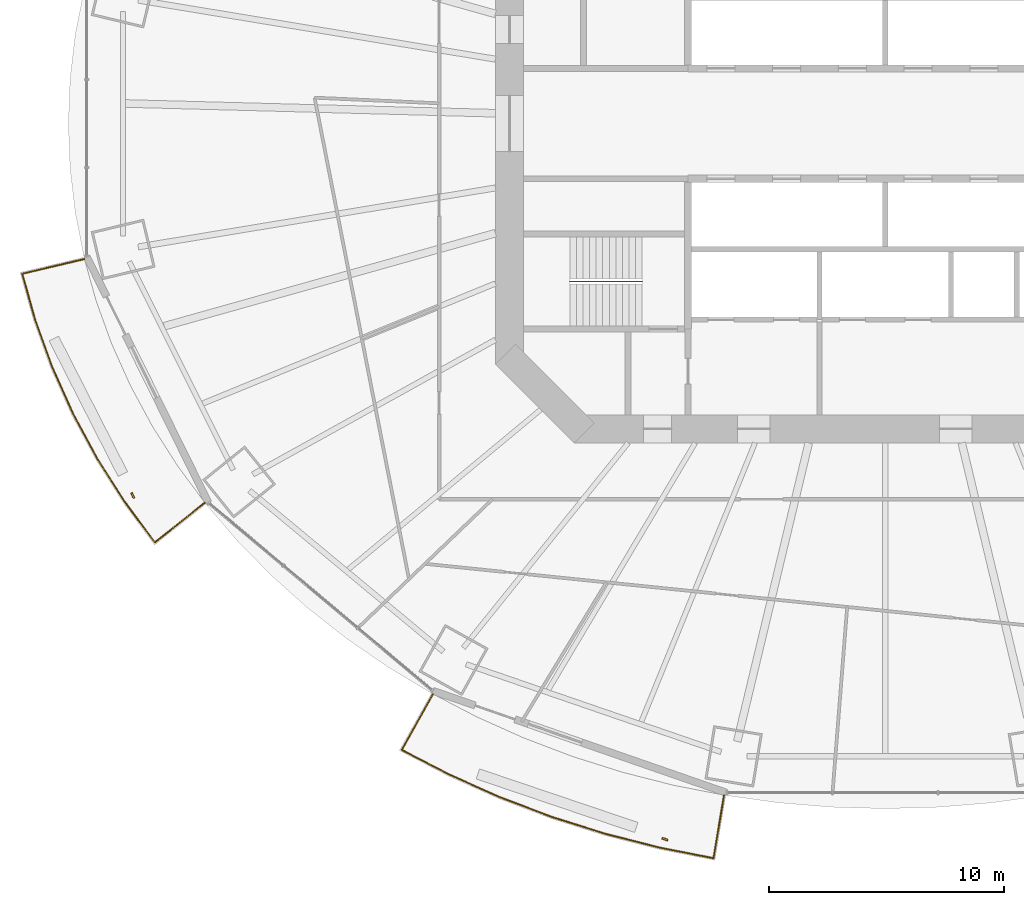
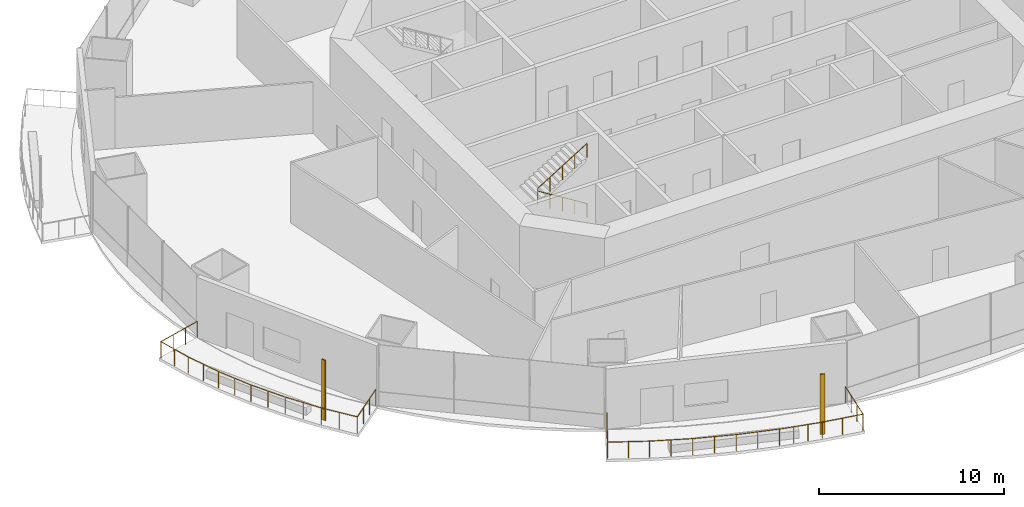
# One storey, part 17 of 22: 3 railings, 2 shading devices.
"""IFC4 building model written with IfcOpenShell, lengths in metres."""

from ifc_helpers import new_model, si_unit, direction, frame, origin, origin_2d, place, context, subcontext, project, spatial, rectangle, circle, extrude, material, material_profile, profile_set, type_object, element, save


model = new_model("IFC4")

# Units and contexts
model_context = context("Model", 3, precision=1e-05, world=origin(), true_north=direction((0.0, 1.0)))
body_context = subcontext(model_context, "Body", "Model", "MODEL_VIEW")
ifc_project = project(units=[si_unit("LENGTHUNIT", "METRE"), si_unit("AREAUNIT", "SQUARE_METRE"), si_unit("VOLUMEUNIT", "CUBIC_METRE"), si_unit("PLANEANGLEUNIT", "RADIAN"), si_unit("MASSUNIT", "GRAM", prefix="KILO")], contexts=[model_context])

# Site, building, storey
site_placement = place(None, origin())
site = spatial("IfcSite", under=ifc_project, at=site_placement, CompositionType="ELEMENT")
building_placement = place(site_placement, origin())
building = spatial("IfcBuilding", under=site, at=building_placement, Name="Marenthal Gate Tower", CompositionType="ELEMENT")
storey_placement = place(building_placement, frame((0.0, 0.0, 95.25)))
storey = spatial("IfcBuildingStorey", under=building, at=storey_placement, Name="L19", CompositionType="ELEMENT", Elevation=95.25)

# Railings
ifc_material_1 = material(Name="Stainless steel", Category="steel")
railing_type_1 = type_object("IfcRailingType", Name="Balcony guard 1100", PredefinedType="GUARDRAIL", material=ifc_material_1)
railing_1_placement = place(storey_placement, frame((-28.97509765625, -16.14501953125, 0.0)))
element("IfcRailing", 1, at=railing_1_placement, inside=storey, type_object=railing_type_1, Name="Balcony guard L19 bay 9", PredefinedType="GUARDRAIL", context=body_context, shape_type="SweptSolid", body=[
    extrude(circle(Radius=0.02392578125, at=origin_2d()), frame((0.0, 0.0, 1.076171875), z_axis=(-0.782218085053, -0.62283082954, -0.014718192514), x_axis=(0.622898300926, -0.782302822892, 0.0)), (0.0, 0.0, 1.0), 2.720458984375),
    extrude(circle(Radius=0.02392578125, at=origin_2d()), frame((-2.1279296875, -1.6943359375, 1.0361328125), z_axis=(-0.594516836854, 0.804083161556, 0.0), x_axis=(-0.804083161556, -0.594516836854, 0.0)), (0.0, 0.0, 1.0), 2.12841796875),
    extrude(circle(Radius=0.02392578125, at=origin_2d()), frame((-3.393310546875, 0.01708984375, 1.0361328125), z_axis=(-0.537452327695, 0.843294133417, 0.0), x_axis=(-0.843294133417, -0.537452327695, 0.0)), (0.0, 0.0, 1.0), 2.1904296875),
    extrude(circle(Radius=0.02392578125, at=origin_2d()), frame((-4.570556640625, 1.8642578125, 1.0361328125), z_axis=(-0.475284522292, 0.879832156078, 0.0), x_axis=(-0.879832156078, -0.475284522292, 0.0)), (0.0, 0.0, 1.0), 2.17431640625),
    extrude(circle(Radius=0.02392578125, at=origin_2d()), frame((-5.60400390625, 3.77734375, 1.0361328125), z_axis=(-0.409429124113, 0.91234192731, 0.0), x_axis=(-0.91234192731, -0.409429124113, 0.0)), (0.0, 0.0, 1.0), 2.15966796875),
    extrude(circle(Radius=0.02392578125, at=origin_2d()), frame((-6.48828125, 5.747802734375, 1.0361328125), z_axis=(-0.340136081654, 0.940376225751, 0.0), x_axis=(-0.940376225751, -0.340136081654, 0.0)), (0.0, 0.0, 1.0), 2.1474609375),
    extrude(circle(Radius=0.02392578125, at=origin_2d()), frame((-7.21875, 7.767333984375, 1.0361328125), z_axis=(-0.269277750694, 0.963062559225, 0.0), x_axis=(-0.963062559225, -0.269277750694, 0.0)), (0.0, 0.0, 1.0), 2.05712890625),
    extrude(circle(Radius=0.02392578125, at=origin_2d()), frame((-7.772705078125, 9.74853515625, 1.0361328125), z_axis=(0.972946801612, 0.230559942195, 0.014718501565), x_axis=(-0.230584919848, 0.973052205557, 0.0)), (0.0, 0.0, 1.0), 2.72021484375),
    extrude(circle(Radius=0.02099609375, at=origin_2d()), origin(), (0.0, 0.0, 1.0), 1.052001953125),
    extrude(circle(Radius=0.02099609375, at=origin_2d()), frame((-0.709228515625, -0.564697265625, -0.013427734375)), (0.0, 0.0, 1.0), 1.052001953125),
    extrude(circle(Radius=0.02099609375, at=origin_2d()), frame((-1.418701171875, -1.129638671875, -0.026611328125)), (0.0, 0.0, 1.0), 1.052001953125),
    extrude(circle(Radius=0.02099609375, at=origin_2d()), frame((-2.1279296875, -1.6943359375, -0.0400390625)), (0.0, 0.0, 1.0), 1.052001953125),
    extrude(circle(Radius=0.02099609375, at=origin_2d()), frame((-2.7607421875, -0.838623046875, -0.0400390625)), (0.0, 0.0, 1.0), 1.052001953125),
    extrude(circle(Radius=0.02099609375, at=origin_2d()), frame((-3.393310546875, 0.01708984375, -0.0400390625)), (0.0, 0.0, 1.0), 1.052001953125),
    extrude(circle(Radius=0.02099609375, at=origin_2d()), frame((-3.98193359375, 0.940673828125, -0.0400390625)), (0.0, 0.0, 1.0), 1.052001953125),
    extrude(circle(Radius=0.02099609375, at=origin_2d()), frame((-4.570556640625, 1.8642578125, -0.0400390625)), (0.0, 0.0, 1.0), 1.052001953125),
    extrude(circle(Radius=0.02099609375, at=origin_2d()), frame((-5.08740234375, 2.82080078125, -0.0400390625)), (0.0, 0.0, 1.0), 1.052001953125),
    extrude(circle(Radius=0.02099609375, at=origin_2d()), frame((-5.60400390625, 3.77734375, -0.0400390625)), (0.0, 0.0, 1.0), 1.052001953125),
    extrude(circle(Radius=0.02099609375, at=origin_2d()), frame((-6.046142578125, 4.7626953125, -0.0400390625)), (0.0, 0.0, 1.0), 1.052001953125),
    extrude(circle(Radius=0.02099609375, at=origin_2d()), frame((-6.48828125, 5.747802734375, -0.0400390625)), (0.0, 0.0, 1.0), 1.052001953125),
    extrude(circle(Radius=0.02099609375, at=origin_2d()), frame((-6.853515625, 6.757568359375, -0.0400390625)), (0.0, 0.0, 1.0), 1.052001953125),
    extrude(circle(Radius=0.02099609375, at=origin_2d()), frame((-7.21875, 7.767333984375, -0.0400390625)), (0.0, 0.0, 1.0), 1.052001953125),
    extrude(circle(Radius=0.02099609375, at=origin_2d()), frame((-7.49560546875, 8.7578125, -0.0400390625)), (0.0, 0.0, 1.0), 1.052001953125),
    extrude(circle(Radius=0.02099609375, at=origin_2d()), frame((-7.772705078125, 9.74853515625, -0.0400390625)), (0.0, 0.0, 1.0), 1.052001953125),
    extrude(circle(Radius=0.02099609375, at=origin_2d()), frame((-6.890380859375, 9.95751953125, -0.026611328125)), (0.0, 0.0, 1.0), 1.052001953125),
    extrude(circle(Radius=0.02099609375, at=origin_2d()), frame((-6.00830078125, 10.166748046875, -0.013427734375)), (0.0, 0.0, 1.0), 1.052001953125),
    extrude(circle(Radius=0.02099609375, at=origin_2d()), frame((-5.1259765625, 10.375732421875, 0.0)), (0.0, 0.0, 1.0), 1.052001953125),
])
railing_2_placement = place(storey_placement, frame((-6.86572265625, -28.59912109375, 0.0)))
element("IfcRailing", 2, at=railing_2_placement, inside=storey, type_object=railing_type_1, Name="Balcony guard L19 bay 11", PredefinedType="GUARDRAIL", context=body_context, shape_type="SweptSolid", body=[
    extrude(circle(Radius=0.02392578125, at=origin_2d()), frame((0.0, 0.0, 1.076171875), z_axis=(-0.164584914213, -0.986253111889, -0.014717516865), x_axis=(0.986359943071, -0.164602742092, 0.0)), (0.0, 0.0, 1.0), 2.720458984375),
    extrude(circle(Radius=0.02392578125, at=origin_2d()), frame((-0.44775390625, -2.68310546875, 1.0361328125), z_axis=(-0.981231836587, 0.192831747562, 0.0), x_axis=(-0.192831747562, -0.981231836587, 0.0)), (0.0, 0.0, 1.0), 2.330810546875),
    extrude(circle(Radius=0.02392578125, at=origin_2d()), frame((-2.73486328125, -2.233642578125, 1.0361328125), z_axis=(-0.969123243842, 0.246576840449, 0.0), x_axis=(-0.246576840449, -0.969123243842, 0.0)), (0.0, 0.0, 1.0), 2.401123046875),
    extrude(circle(Radius=0.02392578125, at=origin_2d()), frame((-5.061767578125, -1.6416015625, 1.0361328125), z_axis=(-0.953610460093, 0.301043336416, 0.0), x_axis=(-0.301043336416, -0.953610460093, 0.0)), (0.0, 0.0, 1.0), 2.38916015625),
    extrude(circle(Radius=0.02392578125, at=origin_2d()), frame((-7.340087890625, -0.92236328125, 1.0361328125), z_axis=(-0.934799959644, 0.355174654852, 0.0), x_axis=(-0.355174654852, -0.934799959644, 0.0)), (0.0, 0.0, 1.0), 2.37548828125),
    extrude(circle(Radius=0.02392578125, at=origin_2d()), frame((-9.560791015625, -0.07861328125, 1.0361328125), z_axis=(-0.91251864488, 0.409035111876, 0.0), x_axis=(-0.409035111876, -0.91251864488, 0.0)), (0.0, 0.0, 1.0), 2.360107421875),
    extrude(circle(Radius=0.02392578125, at=origin_2d()), frame((-11.71435546875, 0.88671875, 1.0361328125), z_axis=(-0.887149676746, 0.461481799261, 0.0), x_axis=(-0.461481799261, -0.887149676746, 0.0)), (0.0, 0.0, 1.0), 2.26318359375),
    extrude(circle(Radius=0.02392578125, at=origin_2d()), frame((-13.72216796875, 1.93115234375, 1.0361328125), z_axis=(0.489129707977, 0.872086857323, 0.014718765524), x_axis=(-0.872181338021, 0.489182699621, 0.0)), (0.0, 0.0, 1.0), 2.72021484375),
    extrude(circle(Radius=0.02099609375, at=origin_2d()), origin(), (0.0, 0.0, 1.0), 1.052001953125),
    extrude(circle(Radius=0.02099609375, at=origin_2d()), frame((-0.149169921875, -0.894287109375, -0.013427734375)), (0.0, 0.0, 1.0), 1.052001953125),
    extrude(circle(Radius=0.02099609375, at=origin_2d()), frame((-0.298583984375, -1.788818359375, -0.026611328125)), (0.0, 0.0, 1.0), 1.052001953125),
    extrude(circle(Radius=0.02099609375, at=origin_2d()), frame((-0.44775390625, -2.68310546875, -0.0400390625)), (0.0, 0.0, 1.0), 1.052001953125),
    extrude(circle(Radius=0.02099609375, at=origin_2d()), frame((-1.59130859375, -2.45849609375, -0.0400390625)), (0.0, 0.0, 1.0), 1.052001953125),
    extrude(circle(Radius=0.02099609375, at=origin_2d()), frame((-2.73486328125, -2.233642578125, -0.0400390625)), (0.0, 0.0, 1.0), 1.052001953125),
    extrude(circle(Radius=0.02099609375, at=origin_2d()), frame((-3.510498046875, -2.036376953125, -0.0400390625)), (0.0, 0.0, 1.0), 1.052001953125),
    extrude(circle(Radius=0.02099609375, at=origin_2d()), frame((-4.2861328125, -1.8388671875, -0.0400390625)), (0.0, 0.0, 1.0), 1.052001953125),
    extrude(circle(Radius=0.02099609375, at=origin_2d()), frame((-5.061767578125, -1.6416015625, -0.0400390625)), (0.0, 0.0, 1.0), 1.052001953125),
    extrude(circle(Radius=0.02099609375, at=origin_2d()), frame((-6.200927734375, -1.281982421875, -0.0400390625)), (0.0, 0.0, 1.0), 1.052001953125),
    extrude(circle(Radius=0.02099609375, at=origin_2d()), frame((-7.340087890625, -0.92236328125, -0.0400390625)), (0.0, 0.0, 1.0), 1.052001953125),
    extrude(circle(Radius=0.02099609375, at=origin_2d()), frame((-8.450439453125, -0.50048828125, -0.0400390625)), (0.0, 0.0, 1.0), 1.052001953125),
    extrude(circle(Radius=0.02099609375, at=origin_2d()), frame((-9.560791015625, -0.07861328125, -0.0400390625)), (0.0, 0.0, 1.0), 1.052001953125),
    extrude(circle(Radius=0.02099609375, at=origin_2d()), frame((-10.6376953125, 0.404052734375, -0.0400390625)), (0.0, 0.0, 1.0), 1.052001953125),
    extrude(circle(Radius=0.02099609375, at=origin_2d()), frame((-11.71435546875, 0.88671875, -0.0400390625)), (0.0, 0.0, 1.0), 1.052001953125),
    extrude(circle(Radius=0.02099609375, at=origin_2d()), frame((-12.71826171875, 1.408935546875, -0.0400390625)), (0.0, 0.0, 1.0), 1.052001953125),
    extrude(circle(Radius=0.02099609375, at=origin_2d()), frame((-13.72216796875, 1.93115234375, -0.0400390625)), (0.0, 0.0, 1.0), 1.052001953125),
    extrude(circle(Radius=0.02099609375, at=origin_2d()), frame((-13.278564453125, 2.721923828125, -0.026611328125)), (0.0, 0.0, 1.0), 1.052001953125),
    extrude(circle(Radius=0.02099609375, at=origin_2d()), frame((-12.835205078125, 3.5126953125, -0.013427734375)), (0.0, 0.0, 1.0), 1.052001953125),
    extrude(circle(Radius=0.02099609375, at=origin_2d()), frame((-12.3916015625, 4.303466796875, 0.0)), (0.0, 0.0, 1.0), 1.052001953125),
])
ifc_material_2 = material(Name="Stainless steel", Category="steel")
railing_type_2 = type_object("IfcRailingType", Name="Stair handrail", PredefinedType="HANDRAIL", material=ifc_material_2)
railing_3_placement = place(storey_placement, frame((-10.35009765625, -6.72509765625, 0.1728515625)))
element("IfcRailing", 3, at=railing_3_placement, inside=storey, type_object=railing_type_2, Name="Handrail ST2", PredefinedType="HANDRAIL", context=body_context, shape_type="SweptSolid", body=[
    extrude(circle(Radius=0.0224609375, at=origin_2d()), frame((0.0, 0.0, 0.927490234375), z_axis=(-0.850816621229, 0.0, 0.525462726595), x_axis=(0.0, -1.0, 0.0)), (0.0, 0.0, 1.0), 3.619873046875),
    extrude(circle(Radius=0.0224609375, at=origin_2d()), frame((-3.079833984375, 0.0, 2.82958984375), z_axis=(0.0, 0.0, 1.0), x_axis=(1.0, 0.0, 0.0)), (0.0, 0.0, 1.0), 0.1728515625),
    extrude(circle(Radius=0.0224609375, at=origin_2d()), frame((-3.079833984375, 0.0, 3.00244140625), z_axis=(0.850816621229, 0.0, 0.525462726595), x_axis=(0.0, 1.0, 0.0)), (0.0, 0.0, 1.0), 3.619873046875),
    extrude(circle(Radius=0.02001953125, at=origin_2d()), origin(), (0.0, 0.0, 1.0), 0.905029296875),
    extrude(circle(Radius=0.02001953125, at=origin_2d()), frame((-0.77001953125, 0.0, 0.4755859375)), (0.0, 0.0, 1.0), 0.905029296875),
    extrude(circle(Radius=0.02001953125, at=origin_2d()), frame((-1.5400390625, 0.0, 0.951171875)), (0.0, 0.0, 1.0), 0.905029296875),
    extrude(circle(Radius=0.02001953125, at=origin_2d()), frame((-2.309814453125, 0.0, 1.426513671875)), (0.0, 0.0, 1.0), 0.905029296875),
    extrude(circle(Radius=0.02001953125, at=origin_2d()), frame((-3.079833984375, 0.0, 1.902099609375)), (0.0, 0.0, 1.0), 0.905029296875),
    extrude(circle(Radius=0.02001953125, at=origin_2d()), frame((-3.079833984375, 0.0, 2.074951171875)), (0.0, 0.0, 1.0), 0.905029296875),
    extrude(circle(Radius=0.02001953125, at=origin_2d()), frame((-2.309814453125, 0.0, 2.550537109375)), (0.0, 0.0, 1.0), 0.905029296875),
    extrude(circle(Radius=0.02001953125, at=origin_2d()), frame((-1.5400390625, 0.0, 3.02587890625)), (0.0, 0.0, 1.0), 0.905029296875),
    extrude(circle(Radius=0.02001953125, at=origin_2d()), frame((-0.77001953125, 0.0, 3.50146484375)), (0.0, 0.0, 1.0), 0.905029296875),
    extrude(circle(Radius=0.02001953125, at=origin_2d()), frame((0.0, 0.0, 3.97705078125)), (0.0, 0.0, 1.0), 0.905029296875),
])

# Shading devices
ifc_material_3 = material(Name="Terracotta", Category="masonry")
ifc_material_profile = material_profile(ifc_material_3, rectangle(XDim=0.25, YDim=0.080078125, at=origin_2d()), Name="Terracotta baguette 250x80")
ifc_profile_set = profile_set([ifc_material_profile], Name="Terracotta")
shading_device_type = type_object("IfcShadingDeviceType", Name="Terracotta BAGUETTE SCREEN 250x80", PredefinedType="USERDEFINED", material=ifc_profile_set)
for number, where, z_axis, x_axis, name in (
    (4, (-32.043701171875, -15.835205078125, -0.0400390625), (0.0, 0.0, 1.0), (0.44279047576, -0.896625113733, 0.0), "Terracotta BAGUETTE L19 bay 9R"),
    (5, (-9.382568359375, -30.47314453125, -0.0400390625), (0.0, 0.0, 1.0), (0.94461425051, -0.328182750512, 0.0), "Terracotta BAGUETTE L19 bay 11R"),
):
    element("IfcShadingDevice", number, at=place(storey_placement, frame(where, z_axis=z_axis, x_axis=x_axis)), inside=storey, type_object=shading_device_type, Name=name, ObjectType="BAGUETTE SCREEN", PredefinedType="USERDEFINED", context=body_context, shape_type="SweptSolid", body=[
        extrude(rectangle(XDim=0.25, YDim=0.080078125, at=origin_2d()), origin(), (0.0, 0.0, 1.0), 3.969970703125),
    ])

save(model, "model.ifc")
